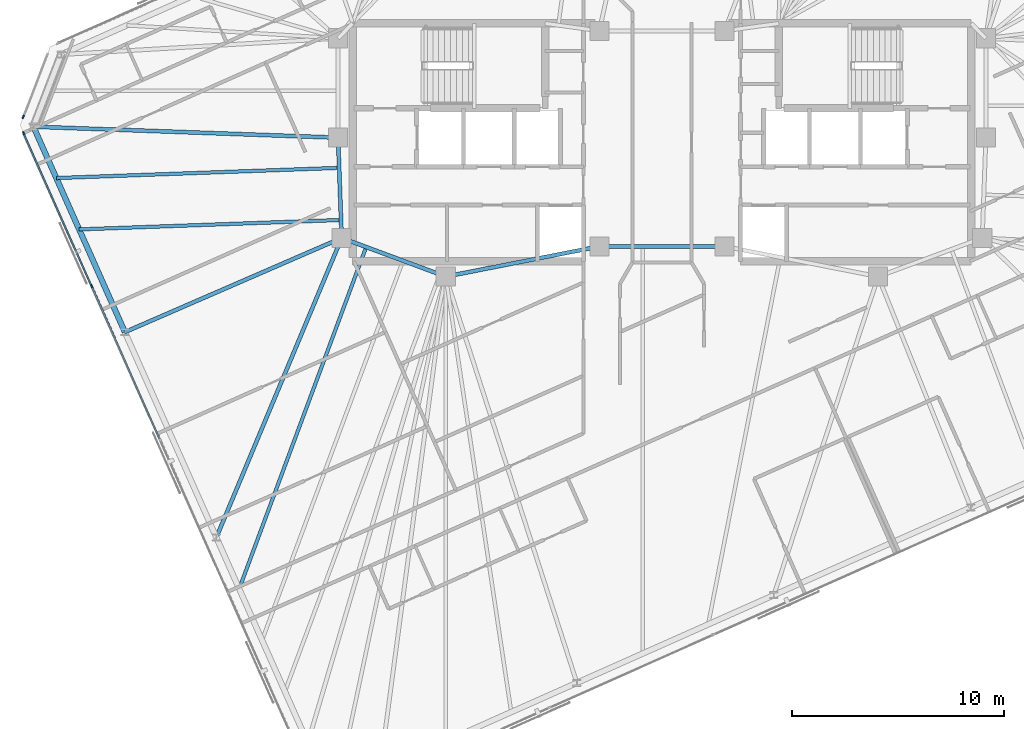
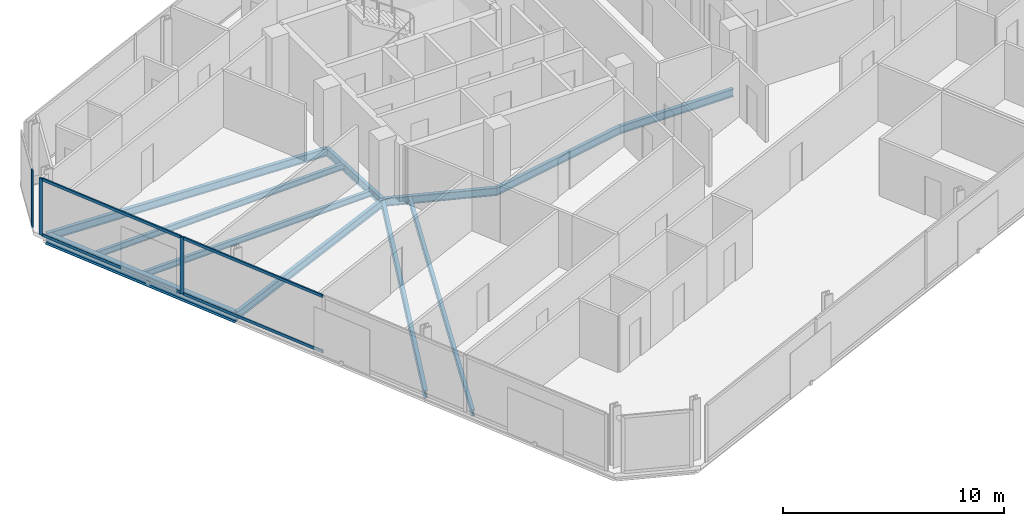
# One storey, part 6 of 19: 11 beams, 7 members, 2 elements without a shape of their own.
"""IFC4 building model written with IfcOpenShell, lengths in metres."""

from ifc_helpers import new_model, si_unit, direction, frame, origin, origin_2d, place, context, subcontext, project, spatial, rectangle, i_section, extrude, material, material_profile, profile_set, type_object, element, aggregate, save


model = new_model("IFC4")

# Units and contexts
model_context = context("Model", 3, precision=1e-05, world=origin(), true_north=direction((0.0, 1.0)))
body_context = subcontext(model_context, "Body", "Model", "MODEL_VIEW")
ifc_project = project(units=[si_unit("LENGTHUNIT", "METRE"), si_unit("AREAUNIT", "SQUARE_METRE"), si_unit("VOLUMEUNIT", "CUBIC_METRE"), si_unit("PLANEANGLEUNIT", "RADIAN"), si_unit("MASSUNIT", "GRAM", prefix="KILO")], contexts=[model_context])

# Site, building, storey
site_placement = place(None, origin())
site = spatial("IfcSite", under=ifc_project, at=site_placement, CompositionType="ELEMENT")
building_placement = place(site_placement, origin())
building = spatial("IfcBuilding", under=site, at=building_placement, Name="Menara Jurai Vektor", CompositionType="ELEMENT")
storey_placement = place(building_placement, frame((0.0, 0.0, 265.550048828125)))
storey = spatial("IfcBuildingStorey", under=building, at=storey_placement, Name="L71", CompositionType="ELEMENT", Elevation=265.550048828125)

# Curtain wall, member
ifc_material_1 = material(Name="Anodised Pale Aluminium & Low-E Double Glazing", Category="aluminium")
curtain_wall_type = type_object("IfcCurtainWallType", Name="CW-BLK5", PredefinedType="NOTDEFINED", material=ifc_material_1)
curtain_wall_1_placement = place(storey_placement, origin())
curtain_wall_1 = element("IfcCurtainWall", 1, at=curtain_wall_1_placement, inside=storey, type_object=curtain_wall_type, Name="Unitised Curtain Wall L71 F06", PredefinedType="NOTDEFINED")
ifc_material_2 = material(Name="Anodised Pale Aluminium Mullion", Category="aluminium")
ifc_material_profile_1 = material_profile(ifc_material_2, rectangle(XDim=0.074951171875, YDim=0.175048828125, at=origin_2d()), Name="ALU MUL 75x175")
ifc_profile_set_1 = profile_set([ifc_material_profile_1], Name="Anodised Pale Aluminium Mullion")
member_type_1 = type_object("IfcMemberType", Name="CW-BLK5-MUL", PredefinedType="MULLION", material=ifc_profile_set_1)
member_1_placement = place(storey_placement, frame((-30.075439453125, 1.197265625, 0.0), z_axis=(0.0, 0.0, 1.0), x_axis=(0.933578193639, -0.358373766287, 0.0)))
member_1 = element("IfcMember", 2, at=member_1_placement, type_object=member_type_1, Name="CW-05 mullion 2", PredefinedType="MULLION", context=body_context, shape_type="SweptSolid", body=[
    extrude(rectangle(XDim=0.074951171875, YDim=0.175048828125, at=origin_2d()), origin(), (0.0, 0.0, 1.0), 3.125),
])
aggregate(curtain_wall_1, [member_1])

# Curtain wall, members
curtain_wall_2_placement = place(storey_placement, origin())
curtain_wall_2 = element("IfcCurtainWall", 3, at=curtain_wall_2_placement, inside=storey, type_object=curtain_wall_type, Name="Unitised Curtain Wall L71 F07", PredefinedType="NOTDEFINED")
member_2_placement = place(storey_placement, frame((-30.055419921875, 0.426025390625, 0.0), z_axis=(0.0, 0.0, 1.0), x_axis=(0.913546127706, 0.406735138086, 0.0)))
member_2 = element("IfcMember", 4, at=member_2_placement, type_object=member_type_1, Name="CW-05 mullion 1", PredefinedType="MULLION", context=body_context, shape_type="SweptSolid", body=[
    extrude(rectangle(XDim=0.074951171875, YDim=0.175048828125, at=origin_2d()), origin(), (0.0, 0.0, 1.0), 3.125),
])
member_3_placement = place(storey_placement, frame((-26.853271484375, -6.765869140625, 0.0), z_axis=(0.0, 0.0, 1.0), x_axis=(0.913546127706, 0.406735138086, 0.0)))
member_3 = element("IfcMember", 5, at=member_3_placement, type_object=member_type_1, Name="CW-05 mullion 2", PredefinedType="MULLION", context=body_context, shape_type="SweptSolid", body=[
    extrude(rectangle(XDim=0.074951171875, YDim=0.175048828125, at=origin_2d()), origin(), (0.0, 0.0, 1.0), 3.125),
])
ifc_material_3 = material(Name="Anodised Pale Aluminium Transom", Category="aluminium")
ifc_material_profile_2 = material_profile(ifc_material_3, rectangle(XDim=0.074951171875, YDim=0.155029296875, at=origin_2d()), Name="ALU TRN 75x155")
ifc_profile_set_2 = profile_set([ifc_material_profile_2], Name="Anodised Pale Aluminium Transom")
member_type_2 = type_object("IfcMemberType", Name="CW-BLK5-TRN", PredefinedType="USERDEFINED", material=ifc_profile_set_2)
member_4_placement = place(storey_placement, frame((-30.0400390625, 0.391845703125, 0.037353515625), z_axis=(0.406713581109, -0.913555725143, 0.0), x_axis=(0.913555725143, 0.406713581109, 0.0)))
member_4 = element("IfcMember", 6, at=member_4_placement, type_object=member_type_2, Name="CW-05 transom 1.1", ObjectType="TRANSOM", PredefinedType="USERDEFINED", context=body_context, shape_type="SweptSolid", body=[
    extrude(rectangle(XDim=0.074951171875, YDim=0.155029296875, at=origin_2d()), origin(), (0.0, 0.0, 1.0), 7.797607421875),
])
member_5_placement = place(storey_placement, frame((-30.0400390625, 0.391845703125, 3.08740234375), z_axis=(0.406713581109, -0.913555725143, 0.0), x_axis=(0.913555725143, 0.406713581109, 0.0)))
member_5 = element("IfcMember", 7, at=member_5_placement, type_object=member_type_2, Name="CW-05 transom 1.2", ObjectType="TRANSOM", PredefinedType="USERDEFINED", context=body_context, shape_type="SweptSolid", body=[
    extrude(rectangle(XDim=0.074951171875, YDim=0.155029296875, at=origin_2d()), origin(), (0.0, 0.0, 1.0), 7.797607421875),
])
member_6_placement = place(storey_placement, frame((-26.838134765625, -6.800048828125, 0.037353515625), z_axis=(0.406731062496, -0.913547942256, 0.0), x_axis=(0.913547942256, 0.406731062496, 0.0)))
member_6 = element("IfcMember", 8, at=member_6_placement, type_object=member_type_2, Name="CW-05 transom 2.1", ObjectType="TRANSOM", PredefinedType="USERDEFINED", context=body_context, shape_type="SweptSolid", body=[
    extrude(rectangle(XDim=0.074951171875, YDim=0.155029296875, at=origin_2d()), origin(), (0.0, 0.0, 1.0), 7.8349609375),
])
member_7_placement = place(storey_placement, frame((-26.838134765625, -6.800048828125, 3.08740234375), z_axis=(0.406731062496, -0.913547942256, 0.0), x_axis=(0.913547942256, 0.406731062496, 0.0)))
member_7 = element("IfcMember", 9, at=member_7_placement, type_object=member_type_2, Name="CW-05 transom 2.2", ObjectType="TRANSOM", PredefinedType="USERDEFINED", context=body_context, shape_type="SweptSolid", body=[
    extrude(rectangle(XDim=0.074951171875, YDim=0.155029296875, at=origin_2d()), origin(), (0.0, 0.0, 1.0), 7.8349609375),
])
aggregate(curtain_wall_2, [member_2, member_3, member_4, member_5, member_6, member_7])

# Beams
ifc_material_4 = material(Name="Steel S355", Category="steel")
ifc_material_profile_3 = material_profile(ifc_material_4, i_section(OverallWidth=0.18505859375, OverallDepth=0.429931640625, WebThickness=0.010986328125, FlangeThickness=0.01806640625, at=origin_2d()), Name="PG 430x185x76")
ifc_profile_set_3 = profile_set([ifc_material_profile_3], Name="Steel S355")
beam_type_1 = type_object("IfcBeamType", Name="STR-BM-430", PredefinedType="BEAM", material=ifc_profile_set_3)
beam_1_placement = place(storey_placement, frame((-15.080078125, -4.5, -0.43994140625), z_axis=(-0.035977314146, 0.999352606874, 0.0), x_axis=(-0.999352606874, -0.035977314146, 0.0)))
element("IfcBeam", 10, at=beam_1_placement, inside=storey, type_object=beam_type_1, Name="Core Ring Header Girder L71-CHW-W2", PredefinedType="BEAM", context=body_context, shape_type="SweptSolid", body=[
    extrude(i_section(OverallWidth=0.18505859375, OverallDepth=0.429931640625, WebThickness=0.010986328125, FlangeThickness=0.01806640625, at=origin_2d()), origin(), (0.0, 0.0, 1.0), 4.72314453125),
])
beam_2_placement = place(storey_placement, frame((-15.080078125, -4.5, -0.43994140625), z_axis=(0.937424400887, -0.348188874925, 0.0), x_axis=(0.348188874925, 0.937424400887, 0.0)))
element("IfcBeam", 11, at=beam_2_placement, inside=storey, type_object=beam_type_1, Name="Core Ring Header Girder L71-CHW-S1", PredefinedType="BEAM", context=body_context, shape_type="SweptSolid", body=[
    extrude(i_section(OverallWidth=0.18505859375, OverallDepth=0.429931640625, WebThickness=0.010986328125, FlangeThickness=0.01806640625, at=origin_2d()), origin(), (0.0, 0.0, 1.0), 5.227294921875),
])
beam_3_placement = place(storey_placement, frame((-10.179931640625, -6.320068359375, -0.43994140625), z_axis=(0.981249044334, 0.192744164614, 0.0), x_axis=(-0.192744164614, 0.981249044334, 0.0)))
element("IfcBeam", 12, at=beam_3_placement, inside=storey, type_object=beam_type_1, Name="Core Ring Header Girder L71-CHW-S2", PredefinedType="BEAM", context=body_context, shape_type="SweptSolid", body=[
    extrude(i_section(OverallWidth=0.18505859375, OverallDepth=0.429931640625, WebThickness=0.010986328125, FlangeThickness=0.01806640625, at=origin_2d()), origin(), (0.0, 0.0, 1.0), 7.3681640625),
])
beam_4_placement = place(storey_placement, frame((-2.949951171875, -4.89990234375, -0.43994140625), z_axis=(1.0, 0.0, 0.0), x_axis=(0.0, 1.0, 0.0)))
element("IfcBeam", 13, at=beam_4_placement, inside=storey, type_object=beam_type_1, Name="Core Ring Header Girder L71-CC-1", PredefinedType="BEAM", context=body_context, shape_type="SweptSolid", body=[
    extrude(i_section(OverallWidth=0.18505859375, OverallDepth=0.429931640625, WebThickness=0.010986328125, FlangeThickness=0.01806640625, at=origin_2d()), origin(), (0.0, 0.0, 1.0), 5.89990234375),
])
beam_5_placement = place(storey_placement, frame((-29.591796875, 0.73681640625, -0.43994140625), z_axis=(0.999351273077, -0.03601434436, 0.0), x_axis=(0.03601434436, 0.999351273077, 0.0)))
element("IfcBeam", 14, at=beam_5_placement, inside=storey, type_object=beam_type_1, Name="Radial Floor Girder L71-W1", PredefinedType="BEAM", context=body_context, shape_type="SweptSolid", body=[
    extrude(i_section(OverallWidth=0.18505859375, OverallDepth=0.429931640625, WebThickness=0.010986328125, FlangeThickness=0.01806640625, at=origin_2d()), origin(), (0.0, 0.0, 1.0), 14.35107421875),
])
beam_6_placement = place(storey_placement, frame((-25.286376953125, -8.933349609375, -0.43994140625), z_axis=(0.917207084259, 0.398410798781, 0.0), x_axis=(-0.398410798781, 0.917207084259, 0.0)))
element("IfcBeam", 15, at=beam_6_placement, inside=storey, type_object=beam_type_1, Name="Radial Floor Girder L71-W2", PredefinedType="BEAM", context=body_context, shape_type="SweptSolid", body=[
    extrude(i_section(OverallWidth=0.18505859375, OverallDepth=0.429931640625, WebThickness=0.010986328125, FlangeThickness=0.01806640625, at=origin_2d()), origin(), (0.0, 0.0, 1.0), 11.127685546875),
])
beam_7_placement = place(storey_placement, frame((-20.98095703125, -18.603271484375, -0.43994140625), z_axis=(0.38598134247, 0.922506587112, 0.0), x_axis=(-0.922506587112, 0.38598134247, 0.0)))
element("IfcBeam", 16, at=beam_7_placement, inside=storey, type_object=beam_type_1, Name="Radial Floor Girder L71-W3", PredefinedType="BEAM", context=body_context, shape_type="SweptSolid", body=[
    extrude(i_section(OverallWidth=0.18505859375, OverallDepth=0.429931640625, WebThickness=0.010986328125, FlangeThickness=0.01806640625, at=origin_2d()), origin(), (0.0, 0.0, 1.0), 15.2880859375),
])
ifc_material_profile_4 = material_profile(ifc_material_4, i_section(OverallWidth=0.1650390625, OverallDepth=0.330078125, WebThickness=0.009033203125, FlangeThickness=0.013916015625, at=origin_2d()), Name="PG 330x165x46")
ifc_profile_set_4 = profile_set([ifc_material_profile_4], Name="Steel S355")
beam_type_2 = type_object("IfcBeamType", Name="STR-JS-330", PredefinedType="JOIST", material=ifc_profile_set_4)
beam_8_placement = place(storey_placement, frame((-28.515380859375, -1.6806640625, -0.39013671875), z_axis=(0.999352378837, 0.035983647851, 0.0), x_axis=(-0.035983647851, 0.999352378837, 0.0)))
element("IfcBeam", 17, at=beam_8_placement, inside=storey, type_object=beam_type_2, Name="Radial Secondary Floor Joist L71-JS26", PredefinedType="JOIST", context=body_context, shape_type="SweptSolid", body=[
    extrude(i_section(OverallWidth=0.1650390625, OverallDepth=0.330078125, WebThickness=0.009033203125, FlangeThickness=0.013916015625, at=origin_2d()), origin(), (0.0, 0.0, 1.0), 13.3251953125),
])
beam_9_placement = place(storey_placement, frame((-27.43896484375, -4.09814453125, -0.39013671875), z_axis=(0.999352552329, 0.03597882924, 0.0), x_axis=(-0.03597882924, 0.999352552329, 0.0)))
element("IfcBeam", 18, at=beam_9_placement, inside=storey, type_object=beam_type_2, Name="Radial Secondary Floor Joist L71-JS27", PredefinedType="JOIST", context=body_context, shape_type="SweptSolid", body=[
    extrude(i_section(OverallWidth=0.1650390625, OverallDepth=0.330078125, WebThickness=0.009033203125, FlangeThickness=0.013916015625, at=origin_2d()), origin(), (0.0, 0.0, 1.0), 12.33642578125),
])
beam_10_placement = place(storey_placement, frame((-19.904541015625, -21.020751953125, -0.39013671875), z_axis=(0.348190100331, 0.937423945732, 0.0), x_axis=(-0.937423945732, 0.348190100331, 0.0)))
element("IfcBeam", 19, at=beam_10_placement, inside=storey, type_object=beam_type_2, Name="Radial Secondary Floor Joist L71-JS28", PredefinedType="JOIST", context=body_context, shape_type="SweptSolid", body=[
    extrude(i_section(OverallWidth=0.1650390625, OverallDepth=0.330078125, WebThickness=0.009033203125, FlangeThickness=0.013916015625, at=origin_2d()), origin(), (0.0, 0.0, 1.0), 17.166748046875),
])
ifc_material_profile_5 = material_profile(ifc_material_4, i_section(OverallWidth=0.260009765625, OverallDepth=0.570068359375, WebThickness=0.013916015625, FlangeThickness=0.02392578125, at=origin_2d()), Name="PG 570x260x145")
ifc_profile_set_5 = profile_set([ifc_material_profile_5], Name="Steel S355")
beam_type_3 = type_object("IfcBeamType", Name="STR-SP-570", PredefinedType="SPANDREL", material=ifc_profile_set_5)
beam_11_placement = place(storey_placement, frame((-29.591796875, 0.73681640625, -0.510009765625), z_axis=(0.40673543049, -0.91354599752, 0.0), x_axis=(0.91354599752, 0.40673543049, 0.0)))
element("IfcBeam", 20, at=beam_11_placement, inside=storey, type_object=beam_type_3, Name="Exoskeleton Spandrel Beam L71-17", PredefinedType="SPANDREL", context=body_context, shape_type="SweptSolid", body=[
    extrude(i_section(OverallWidth=0.260009765625, OverallDepth=0.570068359375, WebThickness=0.013916015625, FlangeThickness=0.02392578125, at=origin_2d()), origin(), (0.0, 0.0, 1.0), 10.585205078125),
])

save(model, "model.ifc")
